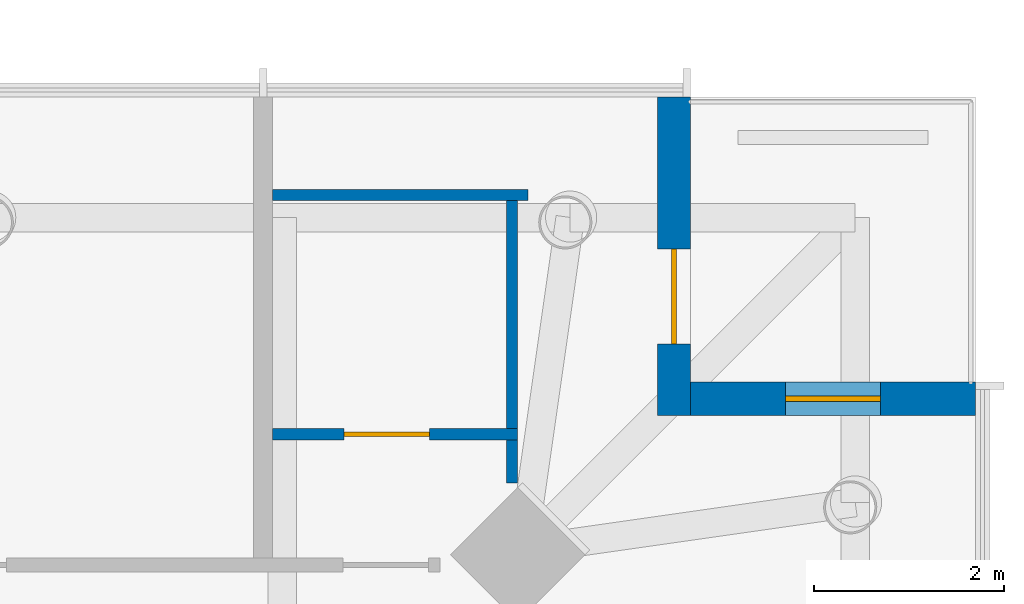
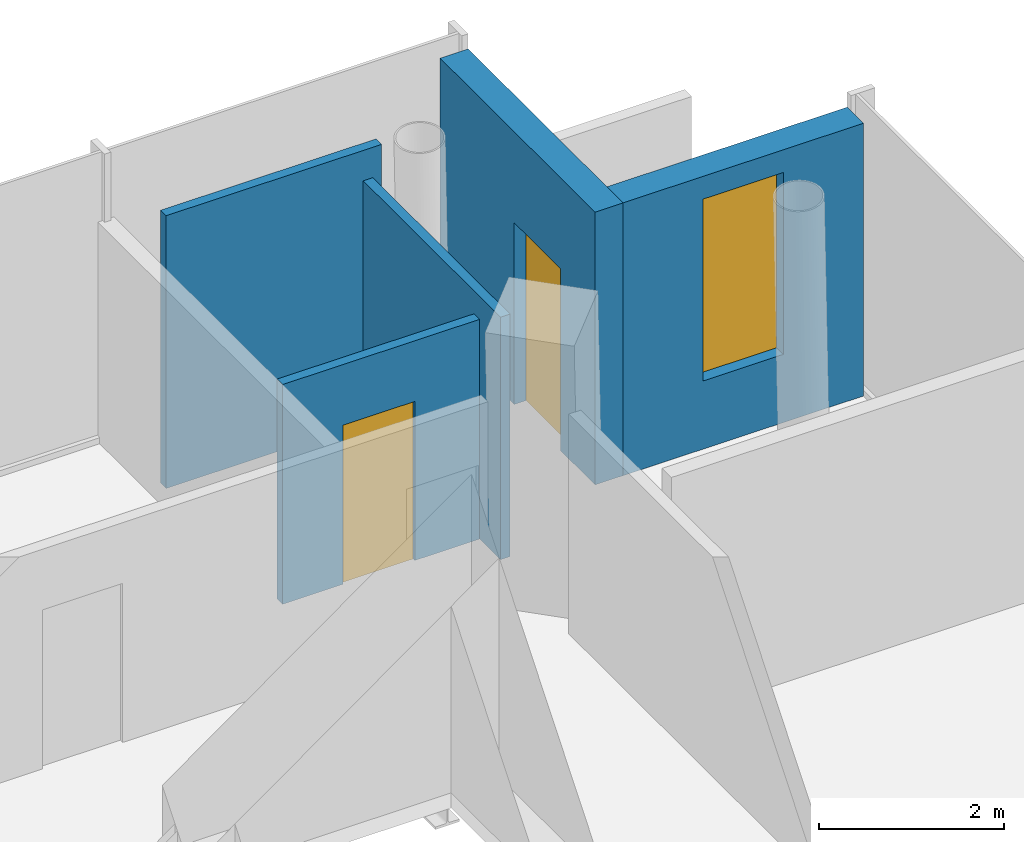
# One storey, part 16 of 20: 5 walls, 2 doors, 1 window, 3 openings.
"""IFC4 building model written with IfcOpenShell, lengths in metres."""

from ifc_helpers import new_model, si_unit, direction, frame, frame_2d, origin, place, context, subcontext, project, spatial, rectangle, extrude, material, layer, layer_set, type_object, element, fill, save


model = new_model("IFC4")

# Units and contexts
model_context = context("Model", 3, precision=1e-05, world=origin(), true_north=direction((0.0, 1.0)))
body_context = subcontext(model_context, "Body", "Model", "MODEL_VIEW")
ifc_project = project(units=[si_unit("LENGTHUNIT", "METRE"), si_unit("AREAUNIT", "SQUARE_METRE"), si_unit("VOLUMEUNIT", "CUBIC_METRE"), si_unit("PLANEANGLEUNIT", "RADIAN"), si_unit("MASSUNIT", "GRAM", prefix="KILO")], contexts=[model_context])

# Site, building, storey
site_placement = place(None, origin())
site = spatial("IfcSite", under=ifc_project, at=site_placement, CompositionType="ELEMENT")
building_placement = place(site_placement, origin())
building = spatial("IfcBuilding", under=site, at=building_placement, Name="Ostroluk Exchange", CompositionType="ELEMENT")
storey_placement = place(building_placement, frame((0.0, 0.0, 108.39990234375)))
storey = spatial("IfcBuildingStorey", under=building, at=storey_placement, Name="L27", CompositionType="ELEMENT", Elevation=108.39990234375)

# Wall, opening, door
ifc_material_1 = material(Name="Limestone", Category="masonry")
ifc_layer_1 = layer(ifc_material_1, 0.35009765625)
ifc_layer_set_1 = layer_set([ifc_layer_1], Name="Limestone facade wall 350")
wall_type_1 = type_object("IfcWallType", Name="Limestone facade wall 350", PredefinedType="SOLIDWALL", material=ifc_layer_set_1)
wall_1_placement = place(storey_placement, frame((130.324951171875, 62.5, 0.0), z_axis=(0.0, 0.0, 1.0), x_axis=(0.0, -1.0, 0.0)))
wall_1 = element("IfcWall", 1, at=wall_1_placement, inside=storey, type_object=wall_type_1, Name="Hotel tower NE corner wall L27 a", PredefinedType="SOLIDWALL", context=body_context, shape_type="SweptSolid", body=[
    extrude(rectangle(XDim=3.35009765625, YDim=0.35009765625, at=frame_2d((1.675048828125, 0.0))), origin(), (0.0, 0.0, 1.0), 3.60009765625),
])
opening_1_placement = place(wall_1_placement, frame((1.60009765625, 0.0, 0.0)))
opening_1 = element("IfcOpeningElement", 2, at=opening_1_placement, cuts=wall_1, Name="Opening D-B1", PredefinedType="OPENING", context=body_context, shape_type="SweptSolid", body=[
    extrude(rectangle(XDim=1.0, YDim=2.39990234375, at=frame_2d((0.5, 1.199951171875))), frame((0.0, 0.18505859375, 0.0), z_axis=(0.0, -1.0, 0.0), x_axis=(1.0, 0.0, 0.0)), (0.0, 0.0, 1.0), 0.3701171875),
])
ifc_material_2 = material(Name="Bronze framed glazed door", Category="aluminium")
door_type_1 = type_object("IfcDoorType", Name="Balcony door 1000 x 2400", OperationType="SINGLE_SWING_LEFT", PredefinedType="DOOR", material=ifc_material_2)
door_1_placement = place(opening_1_placement, origin())
door_1 = element("IfcDoor", 3, at=door_1_placement, inside=storey, type_object=door_type_1, Name="Hotel tower NE balcony door L27", OperationType="SINGLE_SWING_RIGHT", OverallHeight=2.39990234375, OverallWidth=1.0, PredefinedType="DOOR", context=body_context, shape_type="SweptSolid", body=[
    extrude(rectangle(XDim=1.0, YDim=2.39990234375, at=frame_2d((0.5, 1.199951171875))), frame((0.0, 0.02490234375, 0.0), z_axis=(0.0, -1.0, 0.0), x_axis=(1.0, 0.0, 0.0)), (0.0, 0.0, 1.0), 0.050048828125),
])
fill(opening_1, door_1)

# Wall, opening, window
wall_2_placement = place(storey_placement, frame((130.5, 59.324951171875, 0.0), z_axis=(0.0, 0.0, 1.0), x_axis=(1.0, 0.0, 0.0)))
wall_2 = element("IfcWall", 4, at=wall_2_placement, inside=storey, type_object=wall_type_1, Name="Hotel tower NE corner wall L27 b", PredefinedType="SOLIDWALL", context=body_context, shape_type="SweptSolid", body=[
    extrude(rectangle(XDim=3.0, YDim=0.35009765625, at=frame_2d((1.5, 0.0))), origin(), (0.0, 0.0, 1.0), 3.60009765625),
])
opening_2_placement = place(wall_2_placement, frame((1.0, 0.0, 0.89990234375)))
opening_2 = element("IfcOpeningElement", 5, at=opening_2_placement, cuts=wall_2, Name="Opening WN-L3", PredefinedType="OPENING", context=body_context, shape_type="SweptSolid", body=[
    extrude(rectangle(XDim=1.0, YDim=2.39990234375, at=frame_2d((0.5, 1.199951171875))), frame((0.0, 0.18505859375, 0.0), z_axis=(0.0, -1.0, 0.0), x_axis=(1.0, 0.0, 0.0)), (0.0, 0.0, 1.0), 0.3701171875),
])
ifc_material_3 = material(Name="Laminated clear glass", Category="glass")
window_type = type_object("IfcWindowType", Name="Hotel lancet window 1000 x 2400", PartitioningType="SINGLE_PANEL", PredefinedType="WINDOW", material=ifc_material_3)
window_placement = place(opening_2_placement, origin())
window = element("IfcWindow", 6, at=window_placement, inside=storey, type_object=window_type, Name="Hotel tower NE lancet window L27", OverallHeight=2.39990234375, OverallWidth=1.0, PartitioningType="SINGLE_PANEL", PredefinedType="WINDOW", context=body_context, shape_type="SweptSolid", body=[
    extrude(rectangle(XDim=1.0, YDim=2.39990234375, at=frame_2d((0.5, 1.199951171875))), frame((0.0, 0.030029296875, 0.0), z_axis=(0.0, -1.0, 0.0), x_axis=(1.0, 0.0, 0.0)), (0.0, 0.0, 1.0), 0.06005859375),
])
fill(opening_2, window)

# Wall, opening, door
ifc_material_4 = material(Name="Gypsum plasterboard partition, moisture resistant", Category="gypsum")
ifc_layer_2 = layer(ifc_material_4, 0.1201171875)
ifc_layer_set_2 = layer_set([ifc_layer_2], Name="Plasterboard en-suite wall 120")
wall_type_2 = type_object("IfcWallType", Name="Plasterboard en-suite wall 120", PredefinedType="PARTITIONING", material=ifc_layer_set_2)
wall_3_placement = place(storey_placement, frame((126.10009765625, 58.949951171875, 0.0), z_axis=(0.0, 0.0, 1.0), x_axis=(1.0, 0.0, 0.0)))
wall_3 = element("IfcWall", 7, at=wall_3_placement, inside=storey, type_object=wall_type_2, Name="En-suite wall", PredefinedType="PARTITIONING", context=body_context, shape_type="SweptSolid", body=[
    extrude(rectangle(XDim=2.579833984375, YDim=0.1201171875, at=frame_2d((1.2900390625, 0.0))), origin(), (0.0, 0.0, 1.0), 2.900146484375),
])
opening_3_placement = place(wall_3_placement, frame((0.75, 0.0, 0.0)))
opening_3 = element("IfcOpeningElement", 8, at=opening_3_placement, cuts=wall_3, Name="Opening D-02", PredefinedType="OPENING", context=body_context, shape_type="SweptSolid", body=[
    extrude(rectangle(XDim=0.89990234375, YDim=2.10009765625, at=frame_2d((0.449951171875, 1.050048828125))), frame((0.0, 0.070068359375, 0.0), z_axis=(0.0, -1.0, 0.0), x_axis=(1.0, 0.0, 0.0)), (0.0, 0.0, 1.0), 0.14013671875),
])
ifc_material_5 = material(Name="Timber", Category="wood")
door_type_2 = type_object("IfcDoorType", Name="En-suite door 900 x 2100", OperationType="SINGLE_SWING_LEFT", PredefinedType="DOOR", material=ifc_material_5)
door_2_placement = place(opening_3_placement, origin())
door_2 = element("IfcDoor", 9, at=door_2_placement, inside=storey, type_object=door_type_2, Name="En-suite door 2703", OperationType="SINGLE_SWING_LEFT", OverallHeight=2.10009765625, OverallWidth=0.89990234375, PredefinedType="DOOR", context=body_context, shape_type="SweptSolid", body=[
    extrude(rectangle(XDim=0.89990234375, YDim=2.10009765625, at=frame_2d((0.449951171875, 1.050048828125))), frame((0.0, 0.02490234375, 0.0), z_axis=(0.0, -1.0, 0.0), x_axis=(1.0, 0.0, 0.0)), (0.0, 0.0, 1.0), 0.050048828125),
])
fill(opening_3, door_2)

# Walls
wall_4_placement = place(storey_placement, frame((126.10009765625, 61.469970703125, 0.0), z_axis=(0.0, 0.0, 1.0), x_axis=(1.0, 0.0, 0.0)))
element("IfcWall", 10, at=wall_4_placement, inside=storey, type_object=wall_type_2, Name="En-suite wall", PredefinedType="PARTITIONING", context=body_context, shape_type="SweptSolid", body=[
    extrude(rectangle(XDim=2.689453125, YDim=0.1201171875, at=frame_2d((1.3447265625, 0.0))), origin(), (0.0, 0.0, 1.0), 3.60009765625),
])
wall_5_placement = place(storey_placement, frame((128.6201171875, 58.43994140625, 0.0), z_axis=(0.0, 0.0, 1.0), x_axis=(0.0, 1.0, 0.0)))
element("IfcWall", 11, at=wall_5_placement, inside=storey, type_object=wall_type_2, Name="En-suite wall", PredefinedType="PARTITIONING", context=body_context, shape_type="SweptSolid", body=[
    extrude(rectangle(XDim=2.969970703125, YDim=0.1201171875, at=frame_2d((1.48486328125, 0.0))), origin(), (0.0, 0.0, 1.0), 3.2001953125),
])

save(model, "model.ifc")
